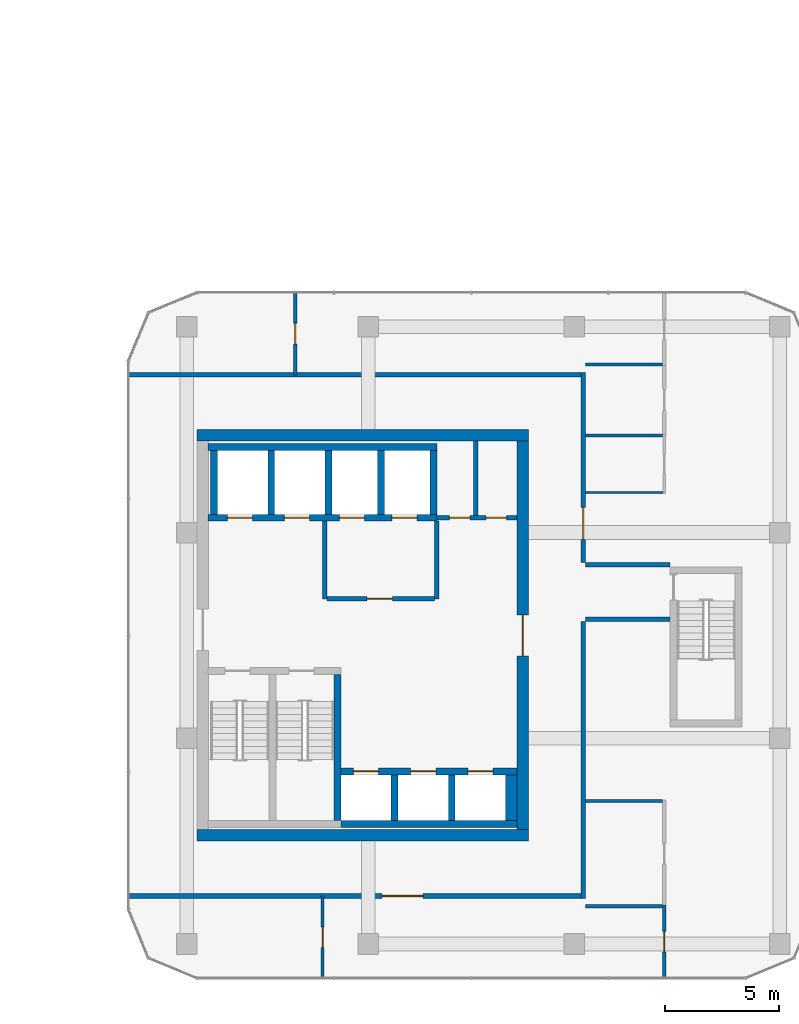
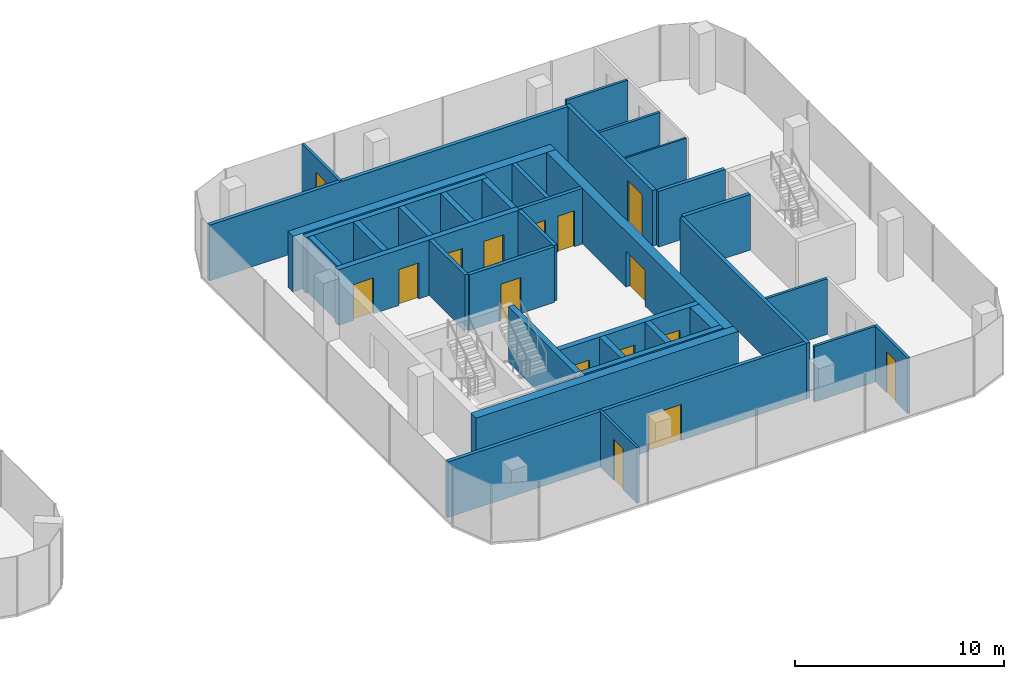
# One storey, part 19 of 24: 35 walls, 16 doors, 16 openings.
"""IFC4 building model written with IfcOpenShell, lengths in metres."""

from ifc_helpers import new_model, si_unit, direction, frame, frame_2d, origin, place, context, subcontext, project, spatial, rectangle, extrude, material, layer, layer_set, type_object, element, fill, save


model = new_model("IFC4")

# Units and contexts
model_context = context("Model", 3, precision=1e-05, world=origin(), true_north=direction((0.0, 1.0)))
body_context = subcontext(model_context, "Body", "Model", "MODEL_VIEW")
ifc_project = project(units=[si_unit("LENGTHUNIT", "METRE"), si_unit("AREAUNIT", "SQUARE_METRE"), si_unit("VOLUMEUNIT", "CUBIC_METRE"), si_unit("PLANEANGLEUNIT", "RADIAN"), si_unit("MASSUNIT", "GRAM", prefix="KILO")], contexts=[model_context])

# Site, building, storey
site_placement = place(None, origin())
site = spatial("IfcSite", under=ifc_project, at=site_placement, CompositionType="ELEMENT")
building_placement = place(site_placement, origin())
building = spatial("IfcBuilding", under=site, at=building_placement, Name="Plateau Cross Towers", CompositionType="ELEMENT")
storey_placement = place(building_placement, frame((0.0, 0.0, 47.800048828125)))
storey = spatial("IfcBuildingStorey", under=building, at=storey_placement, Name="L11", CompositionType="ELEMENT", Elevation=47.800048828125)

# Wall
ifc_material_1 = material(Name="Concrete block, plastered both sides", Category="concrete")
ifc_layer_1 = layer(ifc_material_1, 0.199951171875)
ifc_layer_set_1 = layer_set([ifc_layer_1], Name="Concrete block, plastered both sides")
wall_type_1 = type_object("IfcWallType", Name="Core partition 200", PredefinedType="PARTITIONING", material=ifc_layer_set_1)
wall_1_placement = place(storey_placement, frame((80.60009765625, 10.60009765625, 0.0), z_axis=(0.0, 0.0, 1.0), x_axis=(0.0, 1.0, 0.0)))
element("IfcWall", 1, at=wall_1_placement, inside=storey, type_object=wall_type_1, Name="Core partition", PredefinedType="PARTITIONING", context=body_context, shape_type="SweptSolid", body=[
    extrude(rectangle(XDim=3.39990234375, YDim=0.199951171875, at=frame_2d((1.699951171875, 0.0))), origin(), (0.0, 0.0, 1.0), 3.25),
])

# Wall, opening, door
wall_2_placement = place(storey_placement, frame((80.699951171875, 10.60009765625, 0.0), z_axis=(0.0, 0.0, 1.0), x_axis=(1.0, 0.0, 0.0)))
wall_2 = element("IfcWall", 2, at=wall_2_placement, inside=storey, type_object=wall_type_1, Name="Core partition", PredefinedType="PARTITIONING", context=body_context, shape_type="SweptSolid", body=[
    extrude(rectangle(XDim=4.699951171875, YDim=0.199951171875, at=frame_2d((2.35009765625, 0.0))), origin(), (0.0, 0.0, 1.0), 3.25),
])
opening_1_placement = place(wall_2_placement, frame((1.75, 0.0, 0.0)))
opening_1 = element("IfcOpeningElement", 3, at=opening_1_placement, cuts=wall_2, Name="Opening FFD", PredefinedType="OPENING", context=body_context, shape_type="SweptSolid", body=[
    extrude(rectangle(XDim=1.10009765625, YDim=2.10009765625, at=frame_2d((0.550048828125, 1.050048828125))), frame((0.0, 0.10986328125, 0.0), z_axis=(0.0, -1.0, 0.0), x_axis=(1.0, 0.0, 0.0)), (0.0, 0.0, 1.0), 0.219970703125),
])
ifc_material_2 = material(Name="Steel, fire-resisting leaf", Category="steel")
door_type_1 = type_object("IfcDoorType", Name="Firefighting lobby door 1100", OperationType="NOTDEFINED", PredefinedType="DOOR", material=ifc_material_2)
door_1_placement = place(opening_1_placement, origin())
door_1 = element("IfcDoor", 4, at=door_1_placement, inside=storey, type_object=door_type_1, Name="Firefighting lobby door FFD", OperationType="SINGLE_SWING_LEFT", OverallHeight=2.10009765625, OverallWidth=1.10009765625, PredefinedType="DOOR", context=body_context, shape_type="SweptSolid", body=[
    extrude(rectangle(XDim=1.10009765625, YDim=2.10009765625, at=frame_2d((0.550048828125, 1.050048828125))), frame((0.0, 0.02490234375, 0.0), z_axis=(0.0, -1.0, 0.0), x_axis=(1.0, 0.0, 0.0)), (0.0, 0.0, 1.0), 0.050048828125),
])
fill(opening_1, door_1)

# Wall
wall_3_placement = place(storey_placement, frame((85.5, 10.60009765625, 0.0), z_axis=(0.0, 0.0, 1.0), x_axis=(0.0, 1.0, 0.0)))
element("IfcWall", 5, at=wall_3_placement, inside=storey, type_object=wall_type_1, Name="Core partition", PredefinedType="PARTITIONING", context=body_context, shape_type="SweptSolid", body=[
    extrude(rectangle(XDim=3.39990234375, YDim=0.199951171875, at=frame_2d((1.699951171875, 0.0))), origin(), (0.0, 0.0, 1.0), 3.25),
])

# Wall, openings, doors
wall_4_placement = place(storey_placement, frame((85.5, 14.14990234375, 0.0), z_axis=(0.0, 0.0, 1.0), x_axis=(1.0, 0.0, 0.0)))
wall_4 = element("IfcWall", 6, at=wall_4_placement, inside=storey, type_object=wall_type_1, Name="Core partition", PredefinedType="PARTITIONING", context=body_context, shape_type="SweptSolid", body=[
    extrude(rectangle(XDim=3.5, YDim=0.199951171875, at=frame_2d((1.75, 0.0))), origin(), (0.0, 0.0, 1.0), 3.25),
])
opening_2_placement = place(wall_4_placement, frame((0.550048828125, 0.0, 0.0)))
opening_2 = element("IfcOpeningElement", 7, at=opening_2_placement, cuts=wall_4, Name="Opening RD2", PredefinedType="OPENING", context=body_context, shape_type="SweptSolid", body=[
    extrude(rectangle(XDim=0.89990234375, YDim=2.10009765625, at=frame_2d((0.449951171875, 1.050048828125))), frame((0.0, 0.10986328125, 0.0), z_axis=(0.0, -1.0, 0.0), x_axis=(1.0, 0.0, 0.0)), (0.0, 0.0, 1.0), 0.219970703125),
])
opening_3_placement = place(wall_4_placement, frame((2.14990234375, 0.0, 0.0)))
opening_3 = element("IfcOpeningElement", 8, at=opening_3_placement, cuts=wall_4, Name="Opening RD2", PredefinedType="OPENING", context=body_context, shape_type="SweptSolid", body=[
    extrude(rectangle(XDim=0.89990234375, YDim=2.10009765625, at=frame_2d((0.449951171875, 1.050048828125))), frame((0.0, 0.10986328125, 0.0), z_axis=(0.0, -1.0, 0.0), x_axis=(1.0, 0.0, 0.0)), (0.0, 0.0, 1.0), 0.219970703125),
])
door_type_2 = type_object("IfcDoorType", Name="Core riser door 900", OperationType="NOTDEFINED", PredefinedType="DOOR", material=ifc_material_2)
door_2_placement = place(opening_2_placement, origin())
door_2 = element("IfcDoor", 9, at=door_2_placement, inside=storey, type_object=door_type_2, Name="Core riser door RD2", OperationType="SINGLE_SWING_LEFT", OverallHeight=2.10009765625, OverallWidth=0.89990234375, PredefinedType="DOOR", context=body_context, shape_type="SweptSolid", body=[
    extrude(rectangle(XDim=0.89990234375, YDim=2.10009765625, at=frame_2d((0.449951171875, 1.050048828125))), frame((0.0, 0.02490234375, 0.0), z_axis=(0.0, -1.0, 0.0), x_axis=(1.0, 0.0, 0.0)), (0.0, 0.0, 1.0), 0.050048828125),
])
fill(opening_2, door_2)
door_3_placement = place(opening_3_placement, origin())
door_3 = element("IfcDoor", 10, at=door_3_placement, inside=storey, type_object=door_type_2, Name="Core riser door RD2", OperationType="SINGLE_SWING_LEFT", OverallHeight=2.10009765625, OverallWidth=0.89990234375, PredefinedType="DOOR", context=body_context, shape_type="SweptSolid", body=[
    extrude(rectangle(XDim=0.89990234375, YDim=2.10009765625, at=frame_2d((0.449951171875, 1.050048828125))), frame((0.0, 0.02490234375, 0.0), z_axis=(0.0, -1.0, 0.0), x_axis=(1.0, 0.0, 0.0)), (0.0, 0.0, 1.0), 0.050048828125),
])
fill(opening_3, door_3)

# Walls
wall_5_placement = place(storey_placement, frame((87.199951171875, 14.25, 0.0), z_axis=(0.0, 0.0, 1.0), x_axis=(0.0, 1.0, 0.0)))
element("IfcWall", 11, at=wall_5_placement, inside=storey, type_object=wall_type_1, Name="Core partition", PredefinedType="PARTITIONING", context=body_context, shape_type="SweptSolid", body=[
    extrude(rectangle(XDim=3.25, YDim=0.199951171875, at=frame_2d((1.625, 0.0))), origin(), (0.0, 0.0, 1.0), 3.25),
])
ifc_material_3 = material(Name="Concrete C60/75", Category="concrete")
ifc_layer_2 = layer(ifc_material_3, 0.300048828125)
ifc_layer_set_2 = layer_set([ifc_layer_2], Name="Concrete C60/75")
wall_type_2 = type_object("IfcWallType", Name="Core shaft wall 300", PredefinedType="SHEAR", material=ifc_layer_set_2)
wall_6_placement = place(storey_placement, frame((81.14990234375, 0.89990234375, 0.0), z_axis=(0.0, 0.0, 1.0), x_axis=(0.0, 1.0, 0.0)))
element("IfcWall", 12, at=wall_6_placement, inside=storey, type_object=wall_type_2, Name="B-sb-st2@L11", PredefinedType="SHEAR", context=body_context, shape_type="SweptSolid", body=[
    extrude(rectangle(XDim=6.400146484375, YDim=0.300048828125, at=frame_2d((3.2001953125, 0.0))), origin(), (0.0, 0.0, 1.0), 3.25),
])
wall_7_placement = place(storey_placement, frame((81.300048828125, 0.75, 0.0), z_axis=(0.0, 0.0, 1.0), x_axis=(1.0, 0.0, 0.0)))
element("IfcWall", 13, at=wall_7_placement, inside=storey, type_object=wall_type_2, Name="B-sb-back@L11", PredefinedType="SHEAR", context=body_context, shape_type="SweptSolid", body=[
    extrude(rectangle(XDim=7.699951171875, YDim=0.300048828125, at=frame_2d((3.85009765625, 0.0))), origin(), (0.0, 0.0, 1.0), 3.25),
])
for number, where, z_axis, x_axis, name in (
    (14, (83.64990234375, 0.89990234375, 0.0), (0.0, 0.0, 1.0), (0.0, 1.0, 0.0), "B-sb-v1@L11"),
    (15, (86.14990234375, 0.89990234375, 0.0), (0.0, 0.0, 1.0), (0.0, 1.0, 0.0), "B-sb-v2@L11"),
):
    element("IfcWall", number, at=place(storey_placement, frame(where, z_axis=z_axis, x_axis=x_axis)), inside=storey, type_object=wall_type_2, Name=name, PredefinedType="SHEAR", context=body_context, shape_type="SweptSolid", body=[
        extrude(rectangle(XDim=2.0, YDim=0.300048828125, at=frame_2d((1.0, 0.0))), origin(), (0.0, 0.0, 1.0), 3.25),
    ])

# Wall, openings, doors
wall_8_placement = place(storey_placement, frame((81.300048828125, 3.050048828125, 0.0), z_axis=(0.0, 0.0, 1.0), x_axis=(1.0, 0.0, 0.0)))
wall_8 = element("IfcWall", 16, at=wall_8_placement, inside=storey, type_object=wall_type_2, Name="B-sb-front@L11", PredefinedType="SHEAR", context=body_context, shape_type="SweptSolid", body=[
    extrude(rectangle(XDim=7.699951171875, YDim=0.300048828125, at=frame_2d((3.85009765625, 0.0))), origin(), (0.0, 0.0, 1.0), 3.25),
])
opening_4_placement = place(wall_8_placement, frame((0.550048828125, 0.0, 0.0)))
opening_4 = element("IfcOpeningElement", 17, at=opening_4_placement, cuts=wall_8, Name="Opening LD", PredefinedType="OPENING", context=body_context, shape_type="SweptSolid", body=[
    extrude(rectangle(XDim=1.10009765625, YDim=2.10009765625, at=frame_2d((0.550048828125, 1.050048828125))), frame((0.0, 0.159912109375, 0.0), z_axis=(0.0, -1.0, 0.0), x_axis=(1.0, 0.0, 0.0)), (0.0, 0.0, 1.0), 0.320068359375),
])
opening_5_placement = place(wall_8_placement, frame((3.050048828125, 0.0, 0.0)))
opening_5 = element("IfcOpeningElement", 18, at=opening_5_placement, cuts=wall_8, Name="Opening LD", PredefinedType="OPENING", context=body_context, shape_type="SweptSolid", body=[
    extrude(rectangle(XDim=1.10009765625, YDim=2.10009765625, at=frame_2d((0.550048828125, 1.050048828125))), frame((0.0, 0.159912109375, 0.0), z_axis=(0.0, -1.0, 0.0), x_axis=(1.0, 0.0, 0.0)), (0.0, 0.0, 1.0), 0.320068359375),
])
opening_6_placement = place(wall_8_placement, frame((5.550048828125, 0.0, 0.0)))
opening_6 = element("IfcOpeningElement", 19, at=opening_6_placement, cuts=wall_8, Name="Opening LD", PredefinedType="OPENING", context=body_context, shape_type="SweptSolid", body=[
    extrude(rectangle(XDim=1.10009765625, YDim=2.10009765625, at=frame_2d((0.550048828125, 1.050048828125))), frame((0.0, 0.159912109375, 0.0), z_axis=(0.0, -1.0, 0.0), x_axis=(1.0, 0.0, 0.0)), (0.0, 0.0, 1.0), 0.320068359375),
])
ifc_material_4 = material(Name="Stainless steel, fire-resisting sliding leaves", Category="steel")
door_type_3 = type_object("IfcDoorType", Name="Lift landing door 1100", OperationType="NOTDEFINED", PredefinedType="DOOR", material=ifc_material_4)
door_4_placement = place(opening_4_placement, origin())
door_4 = element("IfcDoor", 20, at=door_4_placement, inside=storey, type_object=door_type_3, Name="Lift landing door LD", OperationType="DOUBLE_DOOR_SLIDING", OverallHeight=2.10009765625, OverallWidth=1.10009765625, PredefinedType="DOOR", context=body_context, shape_type="SweptSolid", body=[
    extrude(rectangle(XDim=1.10009765625, YDim=2.10009765625, at=frame_2d((0.550048828125, 1.050048828125))), frame((0.0, 0.02490234375, 0.0), z_axis=(0.0, -1.0, 0.0), x_axis=(1.0, 0.0, 0.0)), (0.0, 0.0, 1.0), 0.050048828125),
])
fill(opening_4, door_4)
door_5_placement = place(opening_5_placement, origin())
door_5 = element("IfcDoor", 21, at=door_5_placement, inside=storey, type_object=door_type_3, Name="Lift landing door LD", OperationType="DOUBLE_DOOR_SLIDING", OverallHeight=2.10009765625, OverallWidth=1.10009765625, PredefinedType="DOOR", context=body_context, shape_type="SweptSolid", body=[
    extrude(rectangle(XDim=1.10009765625, YDim=2.10009765625, at=frame_2d((0.550048828125, 1.050048828125))), frame((0.0, 0.02490234375, 0.0), z_axis=(0.0, -1.0, 0.0), x_axis=(1.0, 0.0, 0.0)), (0.0, 0.0, 1.0), 0.050048828125),
])
fill(opening_5, door_5)
door_6_placement = place(opening_6_placement, origin())
door_6 = element("IfcDoor", 22, at=door_6_placement, inside=storey, type_object=door_type_3, Name="Lift landing door LD", OperationType="DOUBLE_DOOR_SLIDING", OverallHeight=2.10009765625, OverallWidth=1.10009765625, PredefinedType="DOOR", context=body_context, shape_type="SweptSolid", body=[
    extrude(rectangle(XDim=1.10009765625, YDim=2.10009765625, at=frame_2d((0.550048828125, 1.050048828125))), frame((0.0, 0.02490234375, 0.0), z_axis=(0.0, -1.0, 0.0), x_axis=(1.0, 0.0, 0.0)), (0.0, 0.0, 1.0), 0.050048828125),
])
fill(opening_6, door_6)

# Wall
wall_9_placement = place(storey_placement, frame((75.47998046875, 17.25, 0.0), z_axis=(0.0, 0.0, 1.0), x_axis=(1.0, 0.0, 0.0)))
element("IfcWall", 23, at=wall_9_placement, inside=storey, type_object=wall_type_2, Name="B-nb-back@L11", PredefinedType="SHEAR", context=body_context, shape_type="SweptSolid", body=[
    extrude(rectangle(XDim=10.02001953125, YDim=0.300048828125, at=frame_2d((5.010009765625, 0.0))), origin(), (0.0, 0.0, 1.0), 3.25),
])

# Wall, openings, doors
wall_10_placement = place(storey_placement, frame((75.47998046875, 14.14990234375, 0.0), z_axis=(0.0, 0.0, 1.0), x_axis=(1.0, 0.0, 0.0)))
wall_10 = element("IfcWall", 24, at=wall_10_placement, inside=storey, type_object=wall_type_2, Name="B-nb-front@L11", PredefinedType="SHEAR", context=body_context, shape_type="SweptSolid", body=[
    extrude(rectangle(XDim=10.02001953125, YDim=0.300048828125, at=frame_2d((5.010009765625, 0.0))), origin(), (0.0, 0.0, 1.0), 3.25),
])
opening_7_placement = place(wall_10_placement, frame((0.85009765625, 0.0, 0.0)))
opening_7 = element("IfcOpeningElement", 25, at=opening_7_placement, cuts=wall_10, Name="Opening LD", PredefinedType="OPENING", context=body_context, shape_type="SweptSolid", body=[
    extrude(rectangle(XDim=1.10009765625, YDim=2.10009765625, at=frame_2d((0.550048828125, 1.050048828125))), frame((0.0, 0.159912109375, 0.0), z_axis=(0.0, -1.0, 0.0), x_axis=(1.0, 0.0, 0.0)), (0.0, 0.0, 1.0), 0.320068359375),
])
opening_8_placement = place(wall_10_placement, frame((3.35009765625, 0.0, 0.0)))
opening_8 = element("IfcOpeningElement", 26, at=opening_8_placement, cuts=wall_10, Name="Opening LD", PredefinedType="OPENING", context=body_context, shape_type="SweptSolid", body=[
    extrude(rectangle(XDim=1.10009765625, YDim=2.10009765625, at=frame_2d((0.550048828125, 1.050048828125))), frame((0.0, 0.159912109375, 0.0), z_axis=(0.0, -1.0, 0.0), x_axis=(1.0, 0.0, 0.0)), (0.0, 0.0, 1.0), 0.320068359375),
])
opening_9_placement = place(wall_10_placement, frame((5.75, 0.0, 0.0)))
opening_9 = element("IfcOpeningElement", 27, at=opening_9_placement, cuts=wall_10, Name="Opening LD", PredefinedType="OPENING", context=body_context, shape_type="SweptSolid", body=[
    extrude(rectangle(XDim=1.10009765625, YDim=2.10009765625, at=frame_2d((0.550048828125, 1.050048828125))), frame((0.0, 0.159912109375, 0.0), z_axis=(0.0, -1.0, 0.0), x_axis=(1.0, 0.0, 0.0)), (0.0, 0.0, 1.0), 0.320068359375),
])
opening_10_placement = place(wall_10_placement, frame((8.050048828125, 0.0, 0.0)))
opening_10 = element("IfcOpeningElement", 28, at=opening_10_placement, cuts=wall_10, Name="Opening LD", PredefinedType="OPENING", context=body_context, shape_type="SweptSolid", body=[
    extrude(rectangle(XDim=1.10009765625, YDim=2.10009765625, at=frame_2d((0.550048828125, 1.050048828125))), frame((0.0, 0.159912109375, 0.0), z_axis=(0.0, -1.0, 0.0), x_axis=(1.0, 0.0, 0.0)), (0.0, 0.0, 1.0), 0.320068359375),
])
door_7_placement = place(opening_7_placement, origin())
door_7 = element("IfcDoor", 29, at=door_7_placement, inside=storey, type_object=door_type_3, Name="Lift landing door LD", OperationType="DOUBLE_DOOR_SLIDING", OverallHeight=2.10009765625, OverallWidth=1.10009765625, PredefinedType="DOOR", context=body_context, shape_type="SweptSolid", body=[
    extrude(rectangle(XDim=1.10009765625, YDim=2.10009765625, at=frame_2d((0.550048828125, 1.050048828125))), frame((0.0, 0.02490234375, 0.0), z_axis=(0.0, -1.0, 0.0), x_axis=(1.0, 0.0, 0.0)), (0.0, 0.0, 1.0), 0.050048828125),
])
fill(opening_7, door_7)
door_8_placement = place(opening_8_placement, origin())
door_8 = element("IfcDoor", 30, at=door_8_placement, inside=storey, type_object=door_type_3, Name="Lift landing door LD", OperationType="DOUBLE_DOOR_SLIDING", OverallHeight=2.10009765625, OverallWidth=1.10009765625, PredefinedType="DOOR", context=body_context, shape_type="SweptSolid", body=[
    extrude(rectangle(XDim=1.10009765625, YDim=2.10009765625, at=frame_2d((0.550048828125, 1.050048828125))), frame((0.0, 0.02490234375, 0.0), z_axis=(0.0, -1.0, 0.0), x_axis=(1.0, 0.0, 0.0)), (0.0, 0.0, 1.0), 0.050048828125),
])
fill(opening_8, door_8)
door_9_placement = place(opening_9_placement, origin())
door_9 = element("IfcDoor", 31, at=door_9_placement, inside=storey, type_object=door_type_3, Name="Lift landing door LD", OperationType="DOUBLE_DOOR_SLIDING", OverallHeight=2.10009765625, OverallWidth=1.10009765625, PredefinedType="DOOR", context=body_context, shape_type="SweptSolid", body=[
    extrude(rectangle(XDim=1.10009765625, YDim=2.10009765625, at=frame_2d((0.550048828125, 1.050048828125))), frame((0.0, 0.02490234375, 0.0), z_axis=(0.0, -1.0, 0.0), x_axis=(1.0, 0.0, 0.0)), (0.0, 0.0, 1.0), 0.050048828125),
])
fill(opening_9, door_9)
door_10_placement = place(opening_10_placement, origin())
door_10 = element("IfcDoor", 32, at=door_10_placement, inside=storey, type_object=door_type_3, Name="Lift landing door LD", OperationType="DOUBLE_DOOR_SLIDING", OverallHeight=2.10009765625, OverallWidth=1.10009765625, PredefinedType="DOOR", context=body_context, shape_type="SweptSolid", body=[
    extrude(rectangle(XDim=1.10009765625, YDim=2.10009765625, at=frame_2d((0.550048828125, 1.050048828125))), frame((0.0, 0.02490234375, 0.0), z_axis=(0.0, -1.0, 0.0), x_axis=(1.0, 0.0, 0.0)), (0.0, 0.0, 1.0), 0.050048828125),
])
fill(opening_10, door_10)

# Walls
for number, where, z_axis, x_axis, name in (
    (33, (75.75, 14.300048828125, 0.0), (0.0, 0.0, 1.0), (0.0, 1.0, 0.0), "B-nb-v0@L11"),
    (34, (78.25, 14.300048828125, 0.0), (0.0, 0.0, 1.0), (0.0, 1.0, 0.0), "B-nb-v1@L11"),
    (35, (80.75, 14.300048828125, 0.0), (0.0, 0.0, 1.0), (0.0, 1.0, 0.0), "B-nb-v2@L11"),
    (36, (83.050048828125, 14.300048828125, 0.0), (0.0, 0.0, 1.0), (0.0, 1.0, 0.0), "B-nb-v3@L11"),
    (37, (85.35009765625, 14.300048828125, 0.0), (0.0, 0.0, 1.0), (0.0, 1.0, 0.0), "B-nb-v4@L11"),
):
    element("IfcWall", number, at=place(storey_placement, frame(where, z_axis=z_axis, x_axis=x_axis)), inside=storey, type_object=wall_type_2, Name=name, PredefinedType="SHEAR", context=body_context, shape_type="SweptSolid", body=[
        extrude(rectangle(XDim=2.800048828125, YDim=0.300048828125, at=frame_2d((1.39990234375, 0.0))), origin(), (0.0, 0.0, 1.0), 3.25),
    ])
ifc_layer_3 = layer(ifc_material_3, 0.5)
ifc_layer_set_3 = layer_set([ifc_layer_3], Name="Concrete C60/75")
wall_type_3 = type_object("IfcWallType", Name="Core shaft wall 500", PredefinedType="SHEAR", material=ifc_layer_set_3)
wall_11_placement = place(storey_placement, frame((88.75, 0.89990234375, 0.0), z_axis=(0.0, 0.0, 1.0), x_axis=(0.0, 1.0, 0.0)))
element("IfcWall", 38, at=wall_11_placement, inside=storey, type_object=wall_type_3, Name="B-sb-v3@L11", PredefinedType="SHEAR", context=body_context, shape_type="SweptSolid", body=[
    extrude(rectangle(XDim=2.0, YDim=0.5, at=frame_2d((1.0, 0.0))), origin(), (0.0, 0.0, 1.0), 3.25),
])
ifc_layer_4 = layer(ifc_material_3, 0.5)
ifc_layer_set_4 = layer_set([ifc_layer_4], Name="Concrete C60/75")
wall_type_4 = type_object("IfcWallType", Name="Core shell wall 500", PredefinedType="SHEAR", material=ifc_layer_set_4)
for number, where, z_axis, x_axis, name in (
    (39, (75.0, 0.25, 0.0), (0.0, 0.0, 1.0), (1.0, 0.0, 0.0), "B-core-S@L11"),
    (40, (75.0, 17.75, 0.0), (0.0, 0.0, 1.0), (1.0, 0.0, 0.0), "B-core-N@L11"),
):
    element("IfcWall", number, at=place(storey_placement, frame(where, z_axis=z_axis, x_axis=x_axis)), inside=storey, type_object=wall_type_4, Name=name, PredefinedType="SHEAR", context=body_context, shape_type="SweptSolid", body=[
        extrude(rectangle(XDim=14.5, YDim=0.5, at=frame_2d((7.25, 0.0))), origin(), (0.0, 0.0, 1.0), 3.25),
    ])

# Wall, opening, door
wall_12_placement = place(storey_placement, frame((89.25, 0.5, 0.0), z_axis=(0.0, 0.0, 1.0), x_axis=(0.0, 1.0, 0.0)))
wall_12 = element("IfcWall", 41, at=wall_12_placement, inside=storey, type_object=wall_type_4, Name="B-core-E@L11", PredefinedType="SHEAR", context=body_context, shape_type="SweptSolid", body=[
    extrude(rectangle(XDim=17.0, YDim=0.5, at=frame_2d((8.5, 0.0))), origin(), (0.0, 0.0, 1.0), 3.25),
])
opening_11_placement = place(wall_12_placement, frame((7.60009765625, 0.0, 0.0)))
opening_11 = element("IfcOpeningElement", 42, at=opening_11_placement, cuts=wall_12, Name="Opening CD", PredefinedType="OPENING", context=body_context, shape_type="SweptSolid", body=[
    extrude(rectangle(XDim=1.800048828125, YDim=2.10009765625, at=frame_2d((0.89990234375, 1.050048828125))), frame((0.0, 0.260009765625, 0.0), z_axis=(0.0, -1.0, 0.0), x_axis=(1.0, 0.0, 0.0)), (0.0, 0.0, 1.0), 0.52001953125),
])
ifc_material_5 = material(Name="Steel, fire-resisting leaves", Category="steel")
door_type_4 = type_object("IfcDoorType", Name="Corridor door pair 1800", OperationType="NOTDEFINED", PredefinedType="DOOR", material=ifc_material_5)
door_11_placement = place(opening_11_placement, origin())
door_11 = element("IfcDoor", 43, at=door_11_placement, inside=storey, type_object=door_type_4, Name="Corridor door pair CD", OperationType="DOUBLE_DOOR_SINGLE_SWING", OverallHeight=2.10009765625, OverallWidth=1.800048828125, PredefinedType="DOOR", context=body_context, shape_type="SweptSolid", body=[
    extrude(rectangle(XDim=1.800048828125, YDim=2.10009765625, at=frame_2d((0.89990234375, 1.050048828125))), frame((0.0, 0.02490234375, 0.0), z_axis=(0.0, -1.0, 0.0), x_axis=(1.0, 0.0, 0.0)), (0.0, 0.0, 1.0), 0.050048828125),
])
fill(opening_11, door_11)

ifc_material_6 = material(Name="Gypsum board on steel studs, two layers each side", Category="steel")
ifc_layer_5 = layer(ifc_material_6, 0.199951171875)
ifc_layer_set_5 = layer_set([ifc_layer_5], Name="Gypsum board on steel studs, two layers each side")
wall_type_5 = type_object("IfcWallType", Name="Corridor wall 200", PredefinedType="PARTITIONING", material=ifc_layer_set_5)
wall_13_placement = place(storey_placement, frame((72.0, -2.39990234375, 0.0), z_axis=(0.0, 0.0, 1.0), x_axis=(1.0, 0.0, 0.0)))
wall_13 = element("IfcWall", 44, at=wall_13_placement, inside=storey, type_object=wall_type_5, Name="Ring wall", PredefinedType="PARTITIONING", context=body_context, shape_type="SweptSolid", body=[
    extrude(rectangle(XDim=20.0, YDim=0.199951171875, at=frame_2d((10.0, 0.0))), origin(), (0.0, 0.0, 1.0), 3.25),
])
opening_12_placement = place(wall_13_placement, frame((11.10009765625, 0.0, 0.0)))
opening_12 = element("IfcOpeningElement", 45, at=opening_12_placement, cuts=wall_13, Name="Opening D-BE18", PredefinedType="OPENING", context=body_context, shape_type="SweptSolid", body=[
    extrude(rectangle(XDim=1.800048828125, YDim=2.10009765625, at=frame_2d((0.89990234375, 1.050048828125))), frame((0.0, 0.10986328125, 0.0), z_axis=(0.0, -1.0, 0.0), x_axis=(1.0, 0.0, 0.0)), (0.0, 0.0, 1.0), 0.219970703125),
])
ifc_material_7 = material(Name="Timber, fire-resisting leaves", Category="wood")
door_type_5 = type_object("IfcDoorType", Name="Tenant entrance door pair 1800", OperationType="NOTDEFINED", PredefinedType="DOOR", material=ifc_material_7)
door_12_placement = place(opening_12_placement, origin())
door_12 = element("IfcDoor", 46, at=door_12_placement, inside=storey, type_object=door_type_5, Name="Door D-BE18", OperationType="DOUBLE_DOOR_SINGLE_SWING", OverallHeight=2.10009765625, OverallWidth=1.800048828125, PredefinedType="DOOR", context=body_context, shape_type="SweptSolid", body=[
    extrude(rectangle(XDim=1.800048828125, YDim=2.10009765625, at=frame_2d((0.89990234375, 1.050048828125))), frame((0.0, 0.02490234375, 0.0), z_axis=(0.0, -1.0, 0.0), x_axis=(1.0, 0.0, 0.0)), (0.0, 0.0, 1.0), 0.050048828125),
])
fill(opening_12, door_12)

# Walls
wall_14_placement = place(storey_placement, frame((72.0, 20.39990234375, 0.0), z_axis=(0.0, 0.0, 1.0), x_axis=(1.0, 0.0, 0.0)))
element("IfcWall", 47, at=wall_14_placement, inside=storey, type_object=wall_type_5, Name="Ring wall", PredefinedType="PARTITIONING", context=body_context, shape_type="SweptSolid", body=[
    extrude(rectangle(XDim=20.0, YDim=0.199951171875, at=frame_2d((10.0, 0.0))), origin(), (0.0, 0.0, 1.0), 3.25),
])
wall_15_placement = place(storey_placement, frame((91.89990234375, -2.5, 0.0), z_axis=(0.0, 0.0, 1.0), x_axis=(0.0, 1.0, 0.0)))
element("IfcWall", 48, at=wall_15_placement, inside=storey, type_object=wall_type_5, Name="Ring wall", PredefinedType="PARTITIONING", context=body_context, shape_type="SweptSolid", body=[
    extrude(rectangle(XDim=12.10009765625, YDim=0.199951171875, at=frame_2d((6.050048828125, 0.0))), origin(), (0.0, 0.0, 1.0), 3.25),
])

# Wall, opening, door
wall_16_placement = place(storey_placement, frame((91.89990234375, 12.199951171875, 0.0), z_axis=(0.0, 0.0, 1.0), x_axis=(0.0, 1.0, 0.0)))
wall_16 = element("IfcWall", 49, at=wall_16_placement, inside=storey, type_object=wall_type_5, Name="Ring wall", PredefinedType="PARTITIONING", context=body_context, shape_type="SweptSolid", body=[
    extrude(rectangle(XDim=8.300048828125, YDim=0.199951171875, at=frame_2d((4.14990234375, 0.0))), origin(), (0.0, 0.0, 1.0), 3.25),
])
opening_13_placement = place(wall_16_placement, frame((1.0, 0.0, 0.0)))
opening_13 = element("IfcOpeningElement", 50, at=opening_13_placement, cuts=wall_16, Name="Opening D-BE14", PredefinedType="OPENING", context=body_context, shape_type="SweptSolid", body=[
    extrude(rectangle(XDim=1.39990234375, YDim=2.39990234375, at=frame_2d((0.699951171875, 1.199951171875))), frame((0.0, 0.10986328125, 0.0), z_axis=(0.0, -1.0, 0.0), x_axis=(1.0, 0.0, 0.0)), (0.0, 0.0, 1.0), 0.219970703125),
])
door_type_6 = type_object("IfcDoorType", Name="Tenant entrance double-leaf 1400x2400", OperationType="NOTDEFINED", PredefinedType="DOOR", material=ifc_material_7)
door_13_placement = place(opening_13_placement, origin())
door_13 = element("IfcDoor", 51, at=door_13_placement, inside=storey, type_object=door_type_6, Name="Door D-BE14", OperationType="DOUBLE_DOOR_SINGLE_SWING", OverallHeight=2.39990234375, OverallWidth=1.39990234375, PredefinedType="DOOR", context=body_context, shape_type="SweptSolid", body=[
    extrude(rectangle(XDim=1.39990234375, YDim=2.39990234375, at=frame_2d((0.699951171875, 1.199951171875))), frame((0.0, 0.02490234375, 0.0), z_axis=(0.0, -1.0, 0.0), x_axis=(1.0, 0.0, 0.0)), (0.0, 0.0, 1.0), 0.050048828125),
])
fill(opening_13, door_13)

# Walls
for number, where, z_axis, x_axis, name in (
    (52, (92.0, 9.699951171875, 0.0), (0.0, 0.0, 1.0), (1.0, 0.0, 0.0), "Ring wall"),
    (53, (92.0, 12.10009765625, 0.0), (0.0, 0.0, 1.0), (1.0, 0.0, 0.0), "Ring wall"),
):
    element("IfcWall", number, at=place(storey_placement, frame(where, z_axis=z_axis, x_axis=x_axis)), inside=storey, type_object=wall_type_5, Name=name, PredefinedType="PARTITIONING", context=body_context, shape_type="SweptSolid", body=[
        extrude(rectangle(XDim=3.699951171875, YDim=0.199951171875, at=frame_2d((1.85009765625, 0.0))), origin(), (0.0, 0.0, 1.0), 3.25),
    ])

# Wall, opening, door
ifc_material_8 = material(Name="Gypsum board on staggered steel studs, mineral wool, two layers each side", Category="steel")
ifc_layer_6 = layer(ifc_material_8, 0.139892578125)
ifc_layer_set_6 = layer_set([ifc_layer_6], Name="Gypsum board on staggered steel studs, mineral wool, two layers each side")
wall_type_6 = type_object("IfcWallType", Name="Meeting room acoustic partition 140", PredefinedType="PARTITIONING", material=ifc_layer_set_6)
wall_17_placement = place(storey_placement, frame((80.5, -6.0, 0.0), z_axis=(0.0, 0.0, 1.0), x_axis=(0.0, 1.0, 0.0)))
wall_17 = element("IfcWall", 54, at=wall_17_placement, inside=storey, type_object=wall_type_6, Name="Acoustic wall", PredefinedType="PARTITIONING", context=body_context, shape_type="SweptSolid", body=[
    extrude(rectangle(XDim=3.60009765625, YDim=0.139892578125, at=frame_2d((1.800048828125, 0.0))), origin(), (0.0, 0.0, 1.0), 3.25),
])
opening_14_placement = place(wall_17_placement, frame((1.35009765625, 0.0, 0.0)))
opening_14 = element("IfcOpeningElement", 55, at=opening_14_placement, cuts=wall_17, Name="Opening D-BM9", PredefinedType="OPENING", context=body_context, shape_type="SweptSolid", body=[
    extrude(rectangle(XDim=0.89990234375, YDim=2.39990234375, at=frame_2d((0.449951171875, 1.199951171875))), frame((0.0, 0.079833984375, 0.0), z_axis=(0.0, -1.0, 0.0), x_axis=(1.0, 0.0, 0.0)), (0.0, 0.0, 1.0), 0.159912109375),
])
ifc_material_9 = material(Name="Timber leaf, full height", Category="wood")
door_type_7 = type_object("IfcDoorType", Name="Meeting room door 900x2400", OperationType="NOTDEFINED", PredefinedType="DOOR", material=ifc_material_9)
door_14_placement = place(opening_14_placement, origin())
door_14 = element("IfcDoor", 56, at=door_14_placement, inside=storey, type_object=door_type_7, Name="Door D-BM9", OperationType="SINGLE_SWING_LEFT", OverallHeight=2.39990234375, OverallWidth=0.89990234375, PredefinedType="DOOR", context=body_context, shape_type="SweptSolid", body=[
    extrude(rectangle(XDim=0.89990234375, YDim=2.39990234375, at=frame_2d((0.449951171875, 1.199951171875))), frame((0.0, 0.02490234375, 0.0), z_axis=(0.0, -1.0, 0.0), x_axis=(1.0, 0.0, 0.0)), (0.0, 0.0, 1.0), 0.050048828125),
])
fill(opening_14, door_14)

wall_18_placement = place(storey_placement, frame((95.449951171875, -6.0, 0.0), z_axis=(0.0, 0.0, 1.0), x_axis=(0.0, 1.0, 0.0)))
wall_18 = element("IfcWall", 57, at=wall_18_placement, inside=storey, type_object=wall_type_6, Name="Acoustic wall", PredefinedType="PARTITIONING", context=body_context, shape_type="SweptSolid", body=[
    extrude(rectangle(XDim=3.199951171875, YDim=0.139892578125, at=frame_2d((1.60009765625, 0.0))), origin(), (0.0, 0.0, 1.0), 3.25),
])
opening_15_placement = place(wall_18_placement, frame((1.14990234375, 0.0, 0.0)))
opening_15 = element("IfcOpeningElement", 58, at=opening_15_placement, cuts=wall_18, Name="Opening D-BM9", PredefinedType="OPENING", context=body_context, shape_type="SweptSolid", body=[
    extrude(rectangle(XDim=0.89990234375, YDim=2.39990234375, at=frame_2d((0.449951171875, 1.199951171875))), frame((0.0, 0.079833984375, 0.0), z_axis=(0.0, -1.0, 0.0), x_axis=(1.0, 0.0, 0.0)), (0.0, 0.0, 1.0), 0.159912109375),
])
door_15_placement = place(opening_15_placement, origin())
door_15 = element("IfcDoor", 59, at=door_15_placement, inside=storey, type_object=door_type_7, Name="Door D-BM9", OperationType="SINGLE_SWING_LEFT", OverallHeight=2.39990234375, OverallWidth=0.89990234375, PredefinedType="DOOR", context=body_context, shape_type="SweptSolid", body=[
    extrude(rectangle(XDim=0.89990234375, YDim=2.39990234375, at=frame_2d((0.449951171875, 1.199951171875))), frame((0.0, 0.02490234375, 0.0), z_axis=(0.0, -1.0, 0.0), x_axis=(1.0, 0.0, 0.0)), (0.0, 0.0, 1.0), 0.050048828125),
])
fill(opening_15, door_15)

# Walls
for number, where, z_axis, x_axis, name in (
    (60, (92.0, -2.85009765625, 0.0), (0.0, 0.0, 1.0), (1.0, 0.0, 0.0), "Acoustic wall"),
    (61, (92.0, 1.75, 0.0), (0.0, 0.0, 1.0), (1.0, 0.0, 0.0), "Acoustic wall"),
    (62, (92.0, 20.85009765625, 0.0), (0.0, 0.0, 1.0), (1.0, 0.0, 0.0), "Acoustic wall"),
    (63, (92.0, 17.75, 0.0), (0.0, 0.0, 1.0), (1.0, 0.0, 0.0), "Acoustic wall"),
):
    element("IfcWall", number, at=place(storey_placement, frame(where, z_axis=z_axis, x_axis=x_axis)), inside=storey, type_object=wall_type_6, Name=name, PredefinedType="PARTITIONING", context=body_context, shape_type="SweptSolid", body=[
        extrude(rectangle(XDim=3.3798828125, YDim=0.139892578125, at=frame_2d((1.68994140625, 0.0))), origin(), (0.0, 0.0, 1.0), 3.25),
    ])

# Wall, opening, door
wall_19_placement = place(storey_placement, frame((79.300048828125, 20.39990234375, 0.0), z_axis=(0.0, 0.0, 1.0), x_axis=(0.0, 1.0, 0.0)))
wall_19 = element("IfcWall", 64, at=wall_19_placement, inside=storey, type_object=wall_type_6, Name="Acoustic wall", PredefinedType="PARTITIONING", context=body_context, shape_type="SweptSolid", body=[
    extrude(rectangle(XDim=3.60009765625, YDim=0.139892578125, at=frame_2d((1.800048828125, 0.0))), origin(), (0.0, 0.0, 1.0), 3.25),
])
opening_16_placement = place(wall_19_placement, frame((1.35009765625, 0.0, 0.0)))
opening_16 = element("IfcOpeningElement", 65, at=opening_16_placement, cuts=wall_19, Name="Opening D-BM9", PredefinedType="OPENING", context=body_context, shape_type="SweptSolid", body=[
    extrude(rectangle(XDim=0.89990234375, YDim=2.39990234375, at=frame_2d((0.449951171875, 1.199951171875))), frame((0.0, 0.079833984375, 0.0), z_axis=(0.0, -1.0, 0.0), x_axis=(1.0, 0.0, 0.0)), (0.0, 0.0, 1.0), 0.159912109375),
])
door_16_placement = place(opening_16_placement, origin())
door_16 = element("IfcDoor", 66, at=door_16_placement, inside=storey, type_object=door_type_7, Name="Door D-BM9", OperationType="SINGLE_SWING_LEFT", OverallHeight=2.39990234375, OverallWidth=0.89990234375, PredefinedType="DOOR", context=body_context, shape_type="SweptSolid", body=[
    extrude(rectangle(XDim=0.89990234375, YDim=2.39990234375, at=frame_2d((0.449951171875, 1.199951171875))), frame((0.0, 0.02490234375, 0.0), z_axis=(0.0, -1.0, 0.0), x_axis=(1.0, 0.0, 0.0)), (0.0, 0.0, 1.0), 0.050048828125),
])
fill(opening_16, door_16)

# Wall
ifc_material_10 = material(Name="Gypsum board on steel studs", Category="steel")
ifc_layer_7 = layer(ifc_material_10, 0.10009765625)
ifc_layer_set_7 = layer_set([ifc_layer_7], Name="Gypsum board on steel studs")
wall_type_7 = type_object("IfcWallType", Name="Office partition 100", PredefinedType="PARTITIONING", material=ifc_layer_set_7)
wall_20_placement = place(storey_placement, frame((92.0, 15.25, 0.0), z_axis=(0.0, 0.0, 1.0), x_axis=(1.0, 0.0, 0.0)))
element("IfcWall", 67, at=wall_20_placement, inside=storey, type_object=wall_type_7, Name="Part wall", PredefinedType="PARTITIONING", context=body_context, shape_type="SweptSolid", body=[
    extrude(rectangle(XDim=3.39990234375, YDim=0.10009765625, at=frame_2d((1.699951171875, 0.0))), origin(), (0.0, 0.0, 1.0), 3.25),
])

save(model, "model.ifc")
